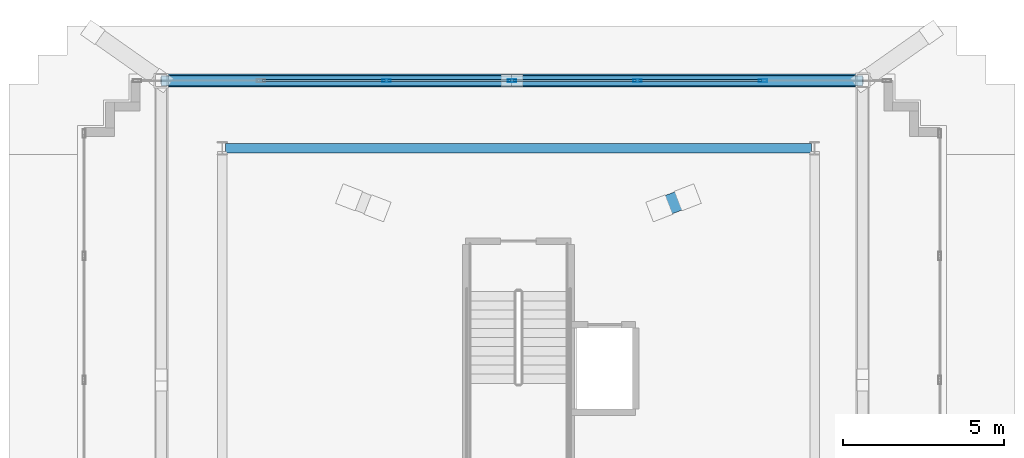
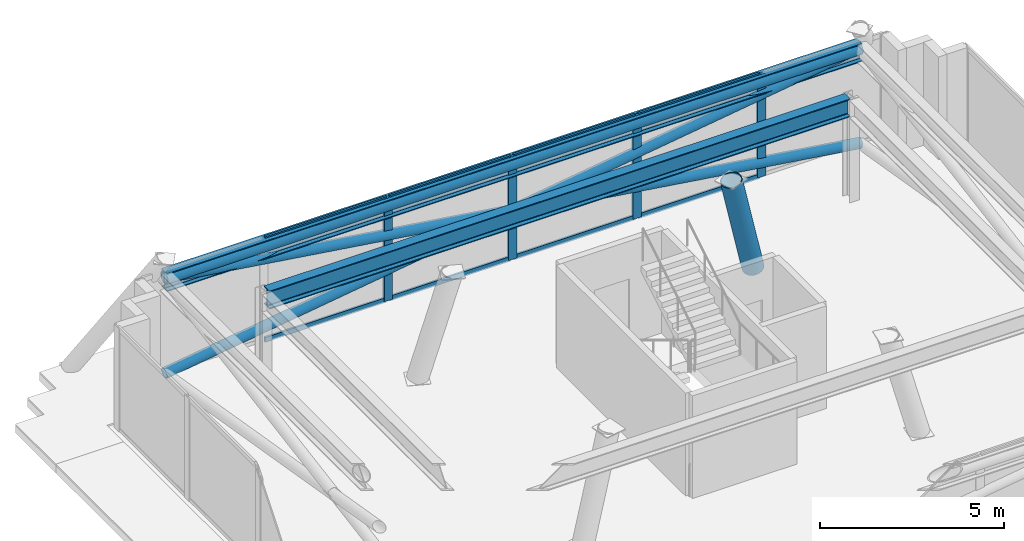
# One storey, part 7 of 13: 17 members, 2 beams, 1 element without a shape of its own.
"""IFC4 building model written with IfcOpenShell, lengths in metres."""

from ifc_helpers import new_model, si_unit, direction, frame, origin, origin_2d, place, context, subcontext, project, spatial, hollow_rectangle, hollow_circle, i_section, extrude, material, layer, layer_set, material_profile, profile_set, type_object, element, aggregate, save


model = new_model("IFC4")

# Units and contexts
model_context = context("Model", 3, precision=1e-05, world=origin(), true_north=direction((0.0, 1.0)))
body_context = subcontext(model_context, "Body", "Model", "MODEL_VIEW")
ifc_project = project(units=[si_unit("LENGTHUNIT", "METRE"), si_unit("AREAUNIT", "SQUARE_METRE"), si_unit("VOLUMEUNIT", "CUBIC_METRE"), si_unit("PLANEANGLEUNIT", "RADIAN"), si_unit("MASSUNIT", "GRAM", prefix="KILO")], contexts=[model_context])

# Site, building, storey
site_placement = place(None, origin())
site = spatial("IfcSite", under=ifc_project, at=site_placement, CompositionType="ELEMENT")
building_placement = place(site_placement, origin())
building = spatial("IfcBuilding", under=site, at=building_placement, Name="Qobustan Lattice House", CompositionType="ELEMENT")
storey_placement = place(building_placement, frame((0.0, 0.0, 285.39990234375)))
storey = spatial("IfcBuildingStorey", under=building, at=storey_placement, Name="L80", CompositionType="ELEMENT", Elevation=285.39990234375)

# Beams
ifc_material_1 = material(Name="Steel S355", Category="steel")
ifc_material_profile_1 = material_profile(ifc_material_1, i_section(OverallWidth=0.300048828125, OverallDepth=0.60009765625, WebThickness=0.015380859375, FlangeThickness=0.030029296875, FilletRadius=0.027099609375, at=origin_2d()), Name="HEB600")
ifc_profile_set_1 = profile_set([ifc_material_profile_1], Name="Steel S355")
beam_type = type_object("IfcBeamType", Name="BM-POD-HEB600", PredefinedType="USERDEFINED", material=ifc_profile_set_1)
beam_1_placement = place(storey_placement, frame((9.10009765625, 5.60009765625, 3.10009765625), z_axis=(-1.0, 0.0, 0.0), x_axis=(0.0, -1.0, 0.0)))
element("IfcBeam", 1, at=beam_1_placement, inside=storey, type_object=beam_type, Name="L80 crown support ring girder 3", ObjectType="GIRDER", PredefinedType="USERDEFINED", context=body_context, shape_type="SweptSolid", body=[
    extrude(i_section(OverallWidth=0.300048828125, OverallDepth=0.60009765625, WebThickness=0.015380859375, FlangeThickness=0.030029296875, FilletRadius=0.027099609375, at=origin_2d()), origin(), (0.0, 0.0, 1.0), 18.2001953125),
])
beam_2_placement = place(storey_placement, frame((10.693603515625, 7.70654296875, 3.10009765625), z_axis=(-1.0, 0.0, 0.0), x_axis=(0.0, -1.0, 0.0)))
element("IfcBeam", 2, at=beam_2_placement, inside=storey, type_object=beam_type, Name="L80 crown perimeter ring beam 3", ObjectType="GIRDER", PredefinedType="USERDEFINED", context=body_context, shape_type="SweptSolid", body=[
    extrude(i_section(OverallWidth=0.300048828125, OverallDepth=0.60009765625, WebThickness=0.015380859375, FlangeThickness=0.030029296875, FilletRadius=0.027099609375, at=origin_2d()), origin(), (0.0, 0.0, 1.0), 21.787109375),
])

# Curtain wall, members
ifc_material_2 = material(Name="Anodised aluminium and low-E glazing", Category="aluminium")
ifc_layer = layer(ifc_material_2, 0.219970703125)
ifc_layer_set = layer_set([ifc_layer], Name="Anodised aluminium and low-E glazing")
curtain_wall_type = type_object("IfcCurtainWallType", Name="CW-CRN-01", PredefinedType="USERDEFINED", material=ifc_layer_set)
curtain_wall_placement = place(storey_placement, origin())
curtain_wall = element("IfcCurtainWall", 3, at=curtain_wall_placement, inside=storey, type_object=curtain_wall_type, Name="L80 glass-point crown faceted curtain wall 10", ObjectType="CURTAIN WALL", PredefinedType="USERDEFINED")
ifc_material_3 = material(Name="Anodised aluminium EN AW-6063 T6", Category="aluminium")
ifc_material_profile_2 = material_profile(ifc_material_3, hollow_rectangle(XDim=0.090087890625, YDim=0.260009765625, WallThickness=0.006103515625, at=origin_2d()), Name="CWM-CROWN-260x90")
ifc_profile_set_2 = profile_set([ifc_material_profile_2], Name="Anodised aluminium EN AW-6063 T6")
member_type_1 = type_object("IfcMemberType", Name="CWM-CRN-260", PredefinedType="MULLION", material=ifc_profile_set_2)
member_1_placement = place(storey_placement, frame((-4.097900390625, 7.70654296875, 0.0), z_axis=(0.0, 0.0, 1.0), x_axis=(0.0, 1.0, 0.0)))
member_1 = element("IfcMember", 4, at=member_1_placement, type_object=member_type_1, Name="CW-CR mullion 3", PredefinedType="MULLION", context=body_context, shape_type="SweptSolid", body=[
    extrude(hollow_rectangle(XDim=0.090087890625, YDim=0.260009765625, WallThickness=0.006103515625, at=origin_2d()), origin(), (0.0, 0.0, 1.0), 3.400146484375),
])
member_2_placement = place(storey_placement, frame((-0.199951171875, 7.70654296875, 0.0), z_axis=(0.0, 0.0, 1.0), x_axis=(0.0, 1.0, 0.0)))
member_2 = element("IfcMember", 5, at=member_2_placement, type_object=member_type_1, Name="CW-CR mullion 4", PredefinedType="MULLION", context=body_context, shape_type="SweptSolid", body=[
    extrude(hollow_rectangle(XDim=0.090087890625, YDim=0.260009765625, WallThickness=0.006103515625, at=origin_2d()), origin(), (0.0, 0.0, 1.0), 3.400146484375),
])
member_3_placement = place(storey_placement, frame((3.69775390625, 7.70654296875, 0.0), z_axis=(0.0, 0.0, 1.0), x_axis=(0.0, 1.0, 0.0)))
member_3 = element("IfcMember", 6, at=member_3_placement, type_object=member_type_1, Name="CW-CR mullion 5", PredefinedType="MULLION", context=body_context, shape_type="SweptSolid", body=[
    extrude(hollow_rectangle(XDim=0.090087890625, YDim=0.260009765625, WallThickness=0.006103515625, at=origin_2d()), origin(), (0.0, 0.0, 1.0), 3.400146484375),
])
member_4_placement = place(storey_placement, frame((7.595703125, 7.70654296875, 0.0), z_axis=(0.0, 0.0, 1.0), x_axis=(0.0, 1.0, 0.0)))
member_4 = element("IfcMember", 7, at=member_4_placement, type_object=member_type_1, Name="CW-CR mullion 6", PredefinedType="MULLION", context=body_context, shape_type="SweptSolid", body=[
    extrude(hollow_rectangle(XDim=0.090087890625, YDim=0.260009765625, WallThickness=0.006103515625, at=origin_2d()), origin(), (0.0, 0.0, 1.0), 3.400146484375),
])
ifc_material_4 = material(Name="Anodised aluminium EN AW-6063 T6", Category="aluminium")
ifc_material_profile_3 = material_profile(ifc_material_4, hollow_rectangle(XDim=0.06494140625, YDim=0.159912109375, WallThickness=0.00390625, at=origin_2d()), Name="CWT-160x65")
ifc_profile_set_3 = profile_set([ifc_material_profile_3], Name="Anodised aluminium EN AW-6063 T6")
member_type_2 = type_object("IfcMemberType", Name="CWT-HOR-160", PredefinedType="USERDEFINED", material=ifc_profile_set_3)
member_5_placement = place(storey_placement, frame((-7.95068359375, 7.70654296875, 0.03271484375), z_axis=(1.0, 0.0, 0.0), x_axis=(0.0, 1.0, 0.0)))
member_5 = element("IfcMember", 8, at=member_5_placement, type_object=member_type_2, Name="CW-CR transom 2.1", ObjectType="TRANSOM", PredefinedType="USERDEFINED", context=body_context, shape_type="SweptSolid", body=[
    extrude(hollow_rectangle(XDim=0.06494140625, YDim=0.159912109375, WallThickness=0.00390625, at=origin_2d()), origin(), (0.0, 0.0, 1.0), 3.807861328125),
])
member_6_placement = place(storey_placement, frame((-7.95068359375, 7.70654296875, 3.36767578125), z_axis=(1.0, 0.0, 0.0), x_axis=(0.0, 1.0, 0.0)))
member_6 = element("IfcMember", 9, at=member_6_placement, type_object=member_type_2, Name="CW-CR transom 2.2", ObjectType="TRANSOM", PredefinedType="USERDEFINED", context=body_context, shape_type="SweptSolid", body=[
    extrude(hollow_rectangle(XDim=0.06494140625, YDim=0.159912109375, WallThickness=0.00390625, at=origin_2d()), origin(), (0.0, 0.0, 1.0), 3.807861328125),
])
member_7_placement = place(storey_placement, frame((-4.052734375, 7.70654296875, 0.03271484375), z_axis=(1.0, 0.0, 0.0), x_axis=(0.0, 1.0, 0.0)))
member_7 = element("IfcMember", 10, at=member_7_placement, type_object=member_type_2, Name="CW-CR transom 3.1", ObjectType="TRANSOM", PredefinedType="USERDEFINED", context=body_context, shape_type="SweptSolid", body=[
    extrude(hollow_rectangle(XDim=0.06494140625, YDim=0.159912109375, WallThickness=0.00390625, at=origin_2d()), origin(), (0.0, 0.0, 1.0), 3.8076171875),
])
member_8_placement = place(storey_placement, frame((-4.052734375, 7.70654296875, 3.36767578125), z_axis=(1.0, 0.0, 0.0), x_axis=(0.0, 1.0, 0.0)))
member_8 = element("IfcMember", 11, at=member_8_placement, type_object=member_type_2, Name="CW-CR transom 3.2", ObjectType="TRANSOM", PredefinedType="USERDEFINED", context=body_context, shape_type="SweptSolid", body=[
    extrude(hollow_rectangle(XDim=0.06494140625, YDim=0.159912109375, WallThickness=0.00390625, at=origin_2d()), origin(), (0.0, 0.0, 1.0), 3.8076171875),
])
member_9_placement = place(storey_placement, frame((-0.155029296875, 7.70654296875, 0.03271484375), z_axis=(1.0, 0.0, 0.0), x_axis=(0.0, 1.0, 0.0)))
member_9 = element("IfcMember", 12, at=member_9_placement, type_object=member_type_2, Name="CW-CR transom 4.1", ObjectType="TRANSOM", PredefinedType="USERDEFINED", context=body_context, shape_type="SweptSolid", body=[
    extrude(hollow_rectangle(XDim=0.06494140625, YDim=0.159912109375, WallThickness=0.00390625, at=origin_2d()), origin(), (0.0, 0.0, 1.0), 3.807861328125),
])
member_10_placement = place(storey_placement, frame((-0.155029296875, 7.70654296875, 3.36767578125), z_axis=(1.0, 0.0, 0.0), x_axis=(0.0, 1.0, 0.0)))
member_10 = element("IfcMember", 13, at=member_10_placement, type_object=member_type_2, Name="CW-CR transom 4.2", ObjectType="TRANSOM", PredefinedType="USERDEFINED", context=body_context, shape_type="SweptSolid", body=[
    extrude(hollow_rectangle(XDim=0.06494140625, YDim=0.159912109375, WallThickness=0.00390625, at=origin_2d()), origin(), (0.0, 0.0, 1.0), 3.807861328125),
])
member_11_placement = place(storey_placement, frame((3.742919921875, 7.70654296875, 0.03271484375), z_axis=(1.0, 0.0, 0.0), x_axis=(0.0, 1.0, 0.0)))
member_11 = element("IfcMember", 14, at=member_11_placement, type_object=member_type_2, Name="CW-CR transom 5.1", ObjectType="TRANSOM", PredefinedType="USERDEFINED", context=body_context, shape_type="SweptSolid", body=[
    extrude(hollow_rectangle(XDim=0.06494140625, YDim=0.159912109375, WallThickness=0.00390625, at=origin_2d()), origin(), (0.0, 0.0, 1.0), 3.807861328125),
])
member_12_placement = place(storey_placement, frame((3.742919921875, 7.70654296875, 3.36767578125), z_axis=(1.0, 0.0, 0.0), x_axis=(0.0, 1.0, 0.0)))
member_12 = element("IfcMember", 15, at=member_12_placement, type_object=member_type_2, Name="CW-CR transom 5.2", ObjectType="TRANSOM", PredefinedType="USERDEFINED", context=body_context, shape_type="SweptSolid", body=[
    extrude(hollow_rectangle(XDim=0.06494140625, YDim=0.159912109375, WallThickness=0.00390625, at=origin_2d()), origin(), (0.0, 0.0, 1.0), 3.807861328125),
])
aggregate(curtain_wall, [member_1, member_2, member_3, member_4, member_5, member_6, member_7, member_8, member_9, member_10, member_11, member_12])

# Members
ifc_material_5 = material(Name="Steel S355", Category="steel")
ifc_material_profile_4 = material_profile(ifc_material_5, hollow_circle(Radius=0.161865234375, WallThickness=0.012451171875, at=origin_2d()), Name="CHS323.9x12.5")
ifc_profile_set_4 = profile_set([ifc_material_profile_4], Name="Steel S355")
member_type_3 = type_object("IfcMemberType", Name="MEM-CBR-CHS324", PredefinedType="BRACE", material=ifc_profile_set_4)
member_13_placement = place(storey_placement, frame((10.693603515625, 7.70654296875, 0.01513671875), z_axis=(-0.989612270922, 0.0, 0.143762141195), x_axis=(0.0, -1.0, 0.0)))
element("IfcMember", 16, at=member_13_placement, inside=storey, type_object=member_type_3, Name="L80 crown diagrid continuous brace 3A", PredefinedType="BRACE", context=body_context, shape_type="SweptSolid", body=[
    extrude(hollow_circle(Radius=0.161865234375, WallThickness=0.012451171875, at=origin_2d()), origin(), (0.0, 0.0, 1.0), 22.015869140625),
])
for number, where, z_axis, x_axis, name in (
    (17, (-11.093505859375, 7.70654296875, 0.01513671875), (0.989612496266, 0.0, 0.143760589992), (0.0, 1.0, 0.0), "L80 crown diagrid split brace 3B lower"),
    (18, (-0.03369140625, 7.70654296875, 1.621826171875), (0.989612496266, 0.0, 0.143760589992), (0.0, 1.0, 0.0), "L80 crown diagrid split brace 3B upper"),
):
    element("IfcMember", number, at=place(storey_placement, frame(where, z_axis=z_axis, x_axis=x_axis)), inside=storey, type_object=member_type_3, Name=name, PredefinedType="BRACE", context=body_context, shape_type="SweptSolid", body=[
        extrude(hollow_circle(Radius=0.161865234375, WallThickness=0.012451171875, at=origin_2d()), origin(), (0.0, 0.0, 1.0), 10.83984375),
    ])
ifc_material_6 = material(Name="Steel S355", Category="steel")
ifc_material_profile_5 = material_profile(ifc_material_6, hollow_circle(Radius=0.203125, WallThickness=0.01611328125, at=origin_2d()), Name="CHS406.4x16")
ifc_profile_set_5 = profile_set([ifc_material_profile_5], Name="Steel S355")
member_type_4 = type_object("IfcMemberType", Name="MEM-RNG-CHS406", PredefinedType="CHORD", material=ifc_profile_set_5)
member_14_placement = place(storey_placement, frame((10.693603515625, 7.70654296875, 3.18017578125), z_axis=(-1.0, 0.0, 0.0), x_axis=(0.0, -1.0, 0.0)))
element("IfcMember", 19, at=member_14_placement, inside=storey, type_object=member_type_4, Name="L80 crown ring chord 3", PredefinedType="CHORD", context=body_context, shape_type="SweptSolid", body=[
    extrude(hollow_circle(Radius=0.203125, WallThickness=0.01611328125, at=origin_2d()), origin(), (0.0, 0.0, 1.0), 21.787109375),
])
ifc_material_7 = material(Name="Steel S355", Category="steel")
ifc_material_profile_6 = material_profile(ifc_material_7, hollow_circle(Radius=0.304931640625, WallThickness=0.02490234375, at=origin_2d()), Name="CHS610x25")
ifc_profile_set_6 = profile_set([ifc_material_profile_6], Name="Steel S355")
member_type_5 = type_object("IfcMemberType", Name="MEM-SPR-CHS610", PredefinedType="USERDEFINED", material=ifc_profile_set_6)
member_15_placement = place(storey_placement, frame((5.25927734375, 4.080078125, 0.0), z_axis=(-0.249813296945, -0.096369405329, 0.963486509706), x_axis=(0.359913837202, -0.9329855464, 0.0)))
element("IfcMember", 20, at=member_15_placement, inside=storey, type_object=member_type_5, Name="L80 crown spire leg SL3", ObjectType="CROWN FRAME", PredefinedType="USERDEFINED", context=body_context, shape_type="SweptSolid", body=[
    extrude(hollow_circle(Radius=0.304931640625, WallThickness=0.02490234375, at=origin_2d()), origin(), (0.0, 0.0, 1.0), 3.529052734375),
])

save(model, "model.ifc")
